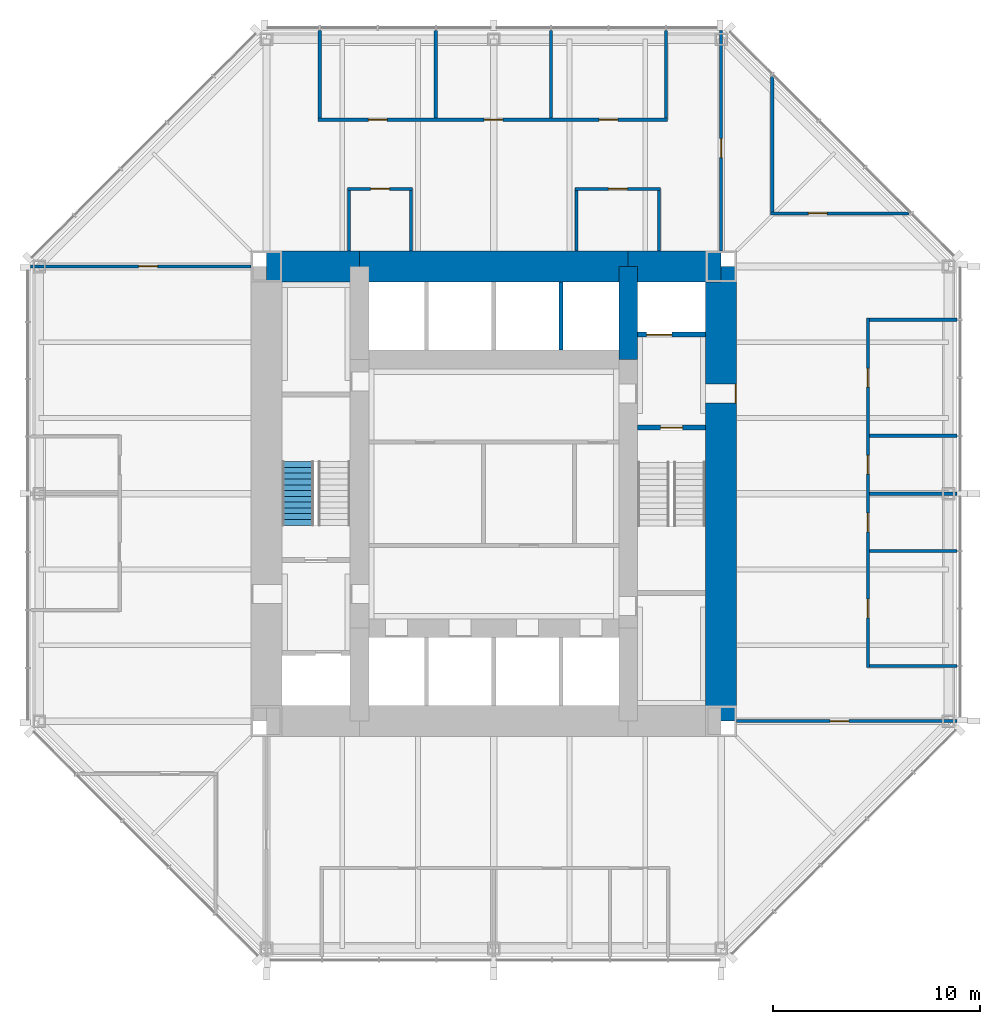
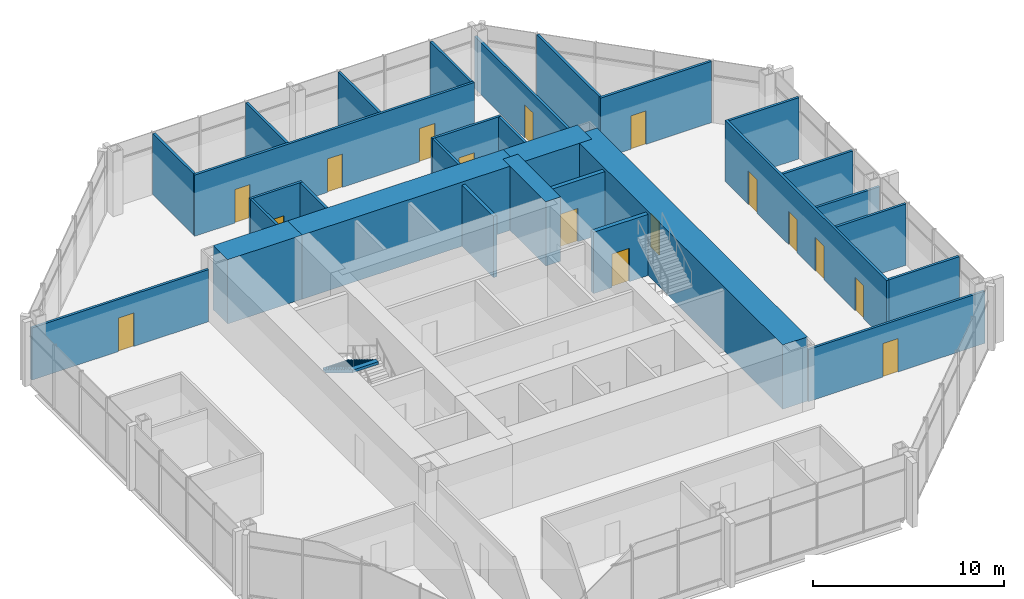
# One storey, part 10 of 12: 30 walls, 16 doors, 1 stair flight, 16 openings, 1 element without a shape of its own.
"""IFC4 building model written with IfcOpenShell, lengths in metres."""

from ifc_helpers import new_model, si_unit, direction, frame, frame_2d, origin, place, context, subcontext, project, spatial, polyline, rectangle, outline, extrude, material, layer, layer_set, type_object, element, fill, aggregate, save


model = new_model("IFC4")

# Units and contexts
model_context = context("Model", 3, precision=1e-05, world=origin(), true_north=direction((0.0, 1.0)))
body_context = subcontext(model_context, "Body", "Model", "MODEL_VIEW")
ifc_project = project(units=[si_unit("LENGTHUNIT", "METRE"), si_unit("AREAUNIT", "SQUARE_METRE"), si_unit("VOLUMEUNIT", "CUBIC_METRE"), si_unit("PLANEANGLEUNIT", "RADIAN"), si_unit("MASSUNIT", "GRAM", prefix="KILO")], contexts=[model_context])

# Site, building, storey
site_placement = place(None, origin())
site = spatial("IfcSite", under=ifc_project, at=site_placement, CompositionType="ELEMENT")
building_placement = place(site_placement, origin())
building = spatial("IfcBuilding", under=site, at=building_placement, Name="Trevanion Tower", CompositionType="ELEMENT")
storey_placement = place(building_placement, frame((0.0, 0.0, 158.199951171875)))
storey = spatial("IfcBuildingStorey", under=building, at=storey_placement, Name="L37", CompositionType="ELEMENT", Elevation=158.199951171875)

# Wall, opening, door
ifc_material_1 = material(Name="Concrete 10,000 psi", Category="concrete")
ifc_layer_1 = layer(ifc_material_1, 1.5)
ifc_layer_set_1 = layer_set([ifc_layer_1], Name="CW1 core wall 1500")
wall_type_1 = type_object("IfcWallType", Name="CW1 core wall 1500", PredefinedType="SHEAR", material=ifc_layer_set_1)
wall_1_placement = place(storey_placement, frame((11.0, -11.0, 0.0), z_axis=(0.0, 0.0, 1.0), x_axis=(0.0, 1.0, 0.0)))
wall_1 = element("IfcWall", 1, at=wall_1_placement, inside=storey, type_object=wall_type_1, Name="CW1 CE L37", PredefinedType="SHEAR", context=body_context, shape_type="SweptSolid", body=[
    extrude(rectangle(XDim=22.0, YDim=1.5, at=frame_2d((11.0, 0.0))), origin(), (0.0, 0.0, 1.0), 4.10009765625),
])
opening_1_placement = place(wall_1_placement, frame((15.392578125, 0.0, 0.0)))
opening_1 = element("IfcOpeningElement", 2, at=opening_1_placement, cuts=wall_1, Name="Opening 37-001", PredefinedType="OPENING", context=body_context, shape_type="SweptSolid", body=[
    extrude(rectangle(XDim=0.9150390625, YDim=2.134033203125, at=frame_2d((0.45751953125, 1.06689453125))), frame((0.0, 0.760009765625, 0.0), z_axis=(0.0, -1.0, 0.0), x_axis=(1.0, 0.0, 0.0)), (0.0, 0.0, 1.0), 1.52001953125),
])
ifc_material_2 = material(Name="Hollow metal, fire rated", Category="steel")
door_type_1 = type_object("IfcDoorType", Name="D3 fire lift lobby door", OperationType="SINGLE_SWING_RIGHT", PredefinedType="DOOR", material=ifc_material_2)
door_1_placement = place(opening_1_placement, origin())
door_1 = element("IfcDoor", 3, at=door_1_placement, inside=storey, type_object=door_type_1, Name="Door 37-001", OperationType="SINGLE_SWING_RIGHT", OverallHeight=2.134033203125, OverallWidth=0.9150390625, PredefinedType="DOOR", context=body_context, shape_type="SweptSolid", body=[
    extrude(rectangle(XDim=0.9150390625, YDim=2.134033203125, at=frame_2d((0.45751953125, 1.06689453125))), frame((0.0, -0.6748046875, 0.0), z_axis=(0.0, -1.0, 0.0), x_axis=(1.0, 0.0, 0.0)), (0.0, 0.0, 1.0), 0.050048828125),
])
fill(opening_1, door_1)

# Walls
wall_2_placement = place(storey_placement, frame((11.0, 11.0, 0.0), z_axis=(0.0, 0.0, 1.0), x_axis=(-1.0, 0.0, 0.0)))
element("IfcWall", 4, at=wall_2_placement, inside=storey, type_object=wall_type_1, Name="CW1 CN1 L37", PredefinedType="SHEAR", context=body_context, shape_type="SweptSolid", body=[
    extrude(rectangle(XDim=4.5, YDim=1.5, at=frame_2d((2.25, 0.0))), origin(), (0.0, 0.0, 1.0), 4.10009765625),
])
wall_3_placement = place(storey_placement, frame((6.5, 11.0, 0.0), z_axis=(0.0, 0.0, 1.0), x_axis=(-1.0, 0.0, 0.0)))
element("IfcWall", 5, at=wall_3_placement, inside=storey, type_object=wall_type_1, Name="CW1 CN2 L37", PredefinedType="SHEAR", context=body_context, shape_type="SweptSolid", body=[
    extrude(rectangle(XDim=13.0, YDim=1.5, at=frame_2d((6.5, 0.0))), origin(), (0.0, 0.0, 1.0), 4.10009765625),
])
wall_4_placement = place(storey_placement, frame((-6.5, 11.0, 0.0), z_axis=(0.0, 0.0, 1.0), x_axis=(-1.0, 0.0, 0.0)))
element("IfcWall", 6, at=wall_4_placement, inside=storey, type_object=wall_type_1, Name="CW1 CN3 L37", PredefinedType="SHEAR", context=body_context, shape_type="SweptSolid", body=[
    extrude(rectangle(XDim=4.5, YDim=1.5, at=frame_2d((2.25, 0.0))), origin(), (0.0, 0.0, 1.0), 4.10009765625),
])
ifc_material_3 = material(Name="Concrete 10,000 psi", Category="concrete")
ifc_layer_2 = layer(ifc_material_3, 0.89990234375)
ifc_layer_set_2 = layer_set([ifc_layer_2], Name="CW2 core wall 900")
wall_type_2 = type_object("IfcWallType", Name="CW2 core wall 900", PredefinedType="SHEAR", material=ifc_layer_set_2)
wall_5_placement = place(storey_placement, frame((6.5, 6.5, 0.0), z_axis=(0.0, 0.0, 1.0), x_axis=(0.0, 1.0, 0.0)))
element("IfcWall", 7, at=wall_5_placement, inside=storey, type_object=wall_type_2, Name="CW2 RE3 L37", PredefinedType="SHEAR", context=body_context, shape_type="SweptSolid", body=[
    extrude(rectangle(XDim=4.5, YDim=0.89990234375, at=frame_2d((2.25, 0.0))), origin(), (0.0, 0.0, 1.0), 4.10009765625),
])

# Wall, opening, door
ifc_material_4 = material(Name="Gypsum board on steel studs", Category="steel")
ifc_layer_3 = layer(ifc_material_4, 0.14990234375)
ifc_layer_set_3 = layer_set([ifc_layer_3], Name="PT1 partition 150")
wall_type_3 = type_object("IfcWallType", Name="PT1 partition 150", PredefinedType="PARTITIONING", material=ifc_layer_set_3)
wall_6_placement = place(storey_placement, frame((11.0, 11.75, 0.0), z_axis=(0.0, 0.0, 1.0), x_axis=(0.0, 1.0, 0.0)))
wall_6 = element("IfcWall", 8, at=wall_6_placement, inside=storey, type_object=wall_type_3, Name="PT1 L37 ZW0", PredefinedType="PARTITIONING", context=body_context, shape_type="SweptSolid", body=[
    extrude(rectangle(XDim=10.6650390625, YDim=0.14990234375, at=frame_2d((5.33251953125, 0.0))), origin(), (0.0, 0.0, 1.0), 3.325927734375),
])
opening_2_placement = place(wall_6_placement, frame((4.517578125, 0.0, 0.0)))
opening_2 = element("IfcOpeningElement", 9, at=opening_2_placement, cuts=wall_6, Name="Opening 37-018", PredefinedType="OPENING", context=body_context, shape_type="SweptSolid", body=[
    extrude(rectangle(XDim=0.9150390625, YDim=2.134033203125, at=frame_2d((0.45751953125, 1.06689453125))), frame((0.0, 0.0849609375, 0.0), z_axis=(0.0, -1.0, 0.0), x_axis=(1.0, 0.0, 0.0)), (0.0, 0.0, 1.0), 0.169921875),
])
ifc_material_5 = material(Name="Timber veneer, solid core", Category="wood")
door_type_2 = type_object("IfcDoorType", Name="D1 office and meeting room door", OperationType="SINGLE_SWING_LEFT", PredefinedType="DOOR", material=ifc_material_5)
door_2_placement = place(opening_2_placement, origin())
door_2 = element("IfcDoor", 10, at=door_2_placement, inside=storey, type_object=door_type_2, Name="Door 37-018", OperationType="SINGLE_SWING_LEFT", OverallHeight=2.134033203125, OverallWidth=0.9150390625, PredefinedType="DOOR", context=body_context, shape_type="SweptSolid", body=[
    extrude(rectangle(XDim=0.9150390625, YDim=2.134033203125, at=frame_2d((0.45751953125, 1.06689453125))), frame((0.0, 0.02490234375, 0.0), z_axis=(0.0, -1.0, 0.0), x_axis=(1.0, 0.0, 0.0)), (0.0, 0.0, 1.0), 0.050048828125),
])
fill(opening_2, door_2)

wall_7_placement = place(storey_placement, frame((-11.75, 11.0, 0.0), z_axis=(0.0, 0.0, 1.0), x_axis=(-1.0, 0.0, 0.0)))
wall_7 = element("IfcWall", 11, at=wall_7_placement, inside=storey, type_object=wall_type_3, Name="PT1 L37 ZW1", PredefinedType="PARTITIONING", context=body_context, shape_type="SweptSolid", body=[
    extrude(rectangle(XDim=10.6650390625, YDim=0.14990234375, at=frame_2d((5.33251953125, 0.0))), origin(), (0.0, 0.0, 1.0), 3.325927734375),
])
opening_3_placement = place(wall_7_placement, frame((4.517578125, 0.0, 0.0)))
opening_3 = element("IfcOpeningElement", 12, at=opening_3_placement, cuts=wall_7, Name="Opening 37-019", PredefinedType="OPENING", context=body_context, shape_type="SweptSolid", body=[
    extrude(rectangle(XDim=0.9150390625, YDim=2.134033203125, at=frame_2d((0.45751953125, 1.06689453125))), frame((0.0, 0.0849609375, 0.0), z_axis=(0.0, -1.0, 0.0), x_axis=(1.0, 0.0, 0.0)), (0.0, 0.0, 1.0), 0.169921875),
])
door_3_placement = place(opening_3_placement, origin())
door_3 = element("IfcDoor", 13, at=door_3_placement, inside=storey, type_object=door_type_2, Name="Door 37-019", OperationType="SINGLE_SWING_LEFT", OverallHeight=2.134033203125, OverallWidth=0.9150390625, PredefinedType="DOOR", context=body_context, shape_type="SweptSolid", body=[
    extrude(rectangle(XDim=0.9150390625, YDim=2.134033203125, at=frame_2d((0.45751953125, 1.06689453125))), frame((0.0, 0.02490234375, 0.0), z_axis=(0.0, -1.0, 0.0), x_axis=(1.0, 0.0, 0.0)), (0.0, 0.0, 1.0), 0.050048828125),
])
fill(opening_3, door_3)

wall_8_placement = place(storey_placement, frame((11.75, -11.0, 0.0), z_axis=(0.0, 0.0, 1.0), x_axis=(1.0, 0.0, 0.0)))
wall_8 = element("IfcWall", 14, at=wall_8_placement, inside=storey, type_object=wall_type_3, Name="PT1 L37 ZW3", PredefinedType="PARTITIONING", context=body_context, shape_type="SweptSolid", body=[
    extrude(rectangle(XDim=10.6650390625, YDim=0.14990234375, at=frame_2d((5.33251953125, 0.0))), origin(), (0.0, 0.0, 1.0), 3.325927734375),
])
opening_4_placement = place(wall_8_placement, frame((4.517578125, 0.0, 0.0)))
opening_4 = element("IfcOpeningElement", 15, at=opening_4_placement, cuts=wall_8, Name="Opening 37-021", PredefinedType="OPENING", context=body_context, shape_type="SweptSolid", body=[
    extrude(rectangle(XDim=0.9150390625, YDim=2.134033203125, at=frame_2d((0.45751953125, 1.06689453125))), frame((0.0, 0.0849609375, 0.0), z_axis=(0.0, -1.0, 0.0), x_axis=(1.0, 0.0, 0.0)), (0.0, 0.0, 1.0), 0.169921875),
])
door_4_placement = place(opening_4_placement, origin())
door_4 = element("IfcDoor", 16, at=door_4_placement, inside=storey, type_object=door_type_2, Name="Door 37-021", OperationType="SINGLE_SWING_LEFT", OverallHeight=2.134033203125, OverallWidth=0.9150390625, PredefinedType="DOOR", context=body_context, shape_type="SweptSolid", body=[
    extrude(rectangle(XDim=0.9150390625, YDim=2.134033203125, at=frame_2d((0.45751953125, 1.06689453125))), frame((0.0, 0.02490234375, 0.0), z_axis=(0.0, -1.0, 0.0), x_axis=(1.0, 0.0, 0.0)), (0.0, 0.0, 1.0), 0.050048828125),
])
fill(opening_4, door_4)

wall_9_placement = place(storey_placement, frame((13.39892578125, 13.56591796875, 0.0), z_axis=(0.0, 0.0, 1.0), x_axis=(1.0, 0.0, 0.0)))
wall_9 = element("IfcWall", 17, at=wall_9_placement, inside=storey, type_object=wall_type_3, Name="PT1 L37 KW0a", PredefinedType="PARTITIONING", context=body_context, shape_type="SweptSolid", body=[
    extrude(rectangle(XDim=6.697998046875, YDim=0.14990234375, at=frame_2d((3.34912109375, 0.0))), origin(), (0.0, 0.0, 1.0), 3.91015625),
])
opening_5_placement = place(wall_9_placement, frame((1.8173828125, 0.0, 0.0)))
opening_5 = element("IfcOpeningElement", 18, at=opening_5_placement, cuts=wall_9, Name="Opening 37-022", PredefinedType="OPENING", context=body_context, shape_type="SweptSolid", body=[
    extrude(rectangle(XDim=0.9150390625, YDim=2.134033203125, at=frame_2d((0.45751953125, 1.06689453125))), frame((0.0, 0.0849609375, 0.0), z_axis=(0.0, -1.0, 0.0), x_axis=(1.0, 0.0, 0.0)), (0.0, 0.0, 1.0), 0.169921875),
])
door_5_placement = place(opening_5_placement, origin())
door_5 = element("IfcDoor", 19, at=door_5_placement, inside=storey, type_object=door_type_2, Name="Door 37-022", OperationType="SINGLE_SWING_LEFT", OverallHeight=2.134033203125, OverallWidth=0.9150390625, PredefinedType="DOOR", context=body_context, shape_type="SweptSolid", body=[
    extrude(rectangle(XDim=0.9150390625, YDim=2.134033203125, at=frame_2d((0.45751953125, 1.06689453125))), frame((0.0, 0.02490234375, 0.0), z_axis=(0.0, -1.0, 0.0), x_axis=(1.0, 0.0, 0.0)), (0.0, 0.0, 1.0), 0.050048828125),
])
fill(opening_5, door_5)

# Wall
wall_10_placement = place(storey_placement, frame((13.47412109375, 13.64111328125, 0.0), z_axis=(0.0, 0.0, 1.0), x_axis=(0.0, 1.0, 0.0)))
element("IfcWall", 20, at=wall_10_placement, inside=storey, type_object=wall_type_3, Name="PT1 L37 KW0b", PredefinedType="PARTITIONING", context=body_context, shape_type="SweptSolid", body=[
    extrude(rectangle(XDim=6.5478515625, YDim=0.14990234375, at=frame_2d((3.27392578125, 0.0))), origin(), (0.0, 0.0, 1.0), 3.91015625),
])

# Wall, openings, doors
wall_11_placement = place(storey_placement, frame((8.39794921875, 18.10009765625, 0.0), z_axis=(0.0, 0.0, 1.0), x_axis=(-1.0, 0.0, 0.0)))
wall_11 = element("IfcWall", 21, at=wall_11_placement, inside=storey, type_object=wall_type_3, Name="PT1 L37 FC1F", PredefinedType="PARTITIONING", context=body_context, shape_type="SweptSolid", body=[
    extrude(rectangle(XDim=16.89404296875, YDim=0.14990234375, at=frame_2d((8.447021484375, 0.0))), origin(), (0.0, 0.0, 1.0), 3.91015625),
])
opening_6_placement = place(wall_11_placement, frame((2.3916015625, 0.0, 0.0)))
opening_6 = element("IfcOpeningElement", 22, at=opening_6_placement, cuts=wall_11, Name="Opening 37-024", PredefinedType="OPENING", context=body_context, shape_type="SweptSolid", body=[
    extrude(rectangle(XDim=0.9150390625, YDim=2.134033203125, at=frame_2d((0.45751953125, 1.06689453125))), frame((0.0, 0.0849609375, 0.0), z_axis=(0.0, -1.0, 0.0), x_axis=(1.0, 0.0, 0.0)), (0.0, 0.0, 1.0), 0.169921875),
])
opening_7_placement = place(wall_11_placement, frame((7.95654296875, 0.0, 0.0)))
opening_7 = element("IfcOpeningElement", 23, at=opening_7_placement, cuts=wall_11, Name="Opening 37-025", PredefinedType="OPENING", context=body_context, shape_type="SweptSolid", body=[
    extrude(rectangle(XDim=0.9150390625, YDim=2.134033203125, at=frame_2d((0.45751953125, 1.06689453125))), frame((0.0, 0.0849609375, 0.0), z_axis=(0.0, -1.0, 0.0), x_axis=(1.0, 0.0, 0.0)), (0.0, 0.0, 1.0), 0.169921875),
])
opening_8_placement = place(wall_11_placement, frame((13.554443359375, 0.0, 0.0)))
opening_8 = element("IfcOpeningElement", 24, at=opening_8_placement, cuts=wall_11, Name="Opening 37-026", PredefinedType="OPENING", context=body_context, shape_type="SweptSolid", body=[
    extrude(rectangle(XDim=0.9150390625, YDim=2.134033203125, at=frame_2d((0.45751953125, 1.06689453125))), frame((0.0, 0.0849609375, 0.0), z_axis=(0.0, -1.0, 0.0), x_axis=(1.0, 0.0, 0.0)), (0.0, 0.0, 1.0), 0.169921875),
])
door_6_placement = place(opening_6_placement, origin())
door_6 = element("IfcDoor", 25, at=door_6_placement, inside=storey, type_object=door_type_2, Name="Door 37-024", OperationType="SINGLE_SWING_LEFT", OverallHeight=2.134033203125, OverallWidth=0.9150390625, PredefinedType="DOOR", context=body_context, shape_type="SweptSolid", body=[
    extrude(rectangle(XDim=0.9150390625, YDim=2.134033203125, at=frame_2d((0.45751953125, 1.06689453125))), frame((0.0, 0.02490234375, 0.0), z_axis=(0.0, -1.0, 0.0), x_axis=(1.0, 0.0, 0.0)), (0.0, 0.0, 1.0), 0.050048828125),
])
fill(opening_6, door_6)
door_7_placement = place(opening_7_placement, origin())
door_7 = element("IfcDoor", 26, at=door_7_placement, inside=storey, type_object=door_type_2, Name="Door 37-025", OperationType="SINGLE_SWING_LEFT", OverallHeight=2.134033203125, OverallWidth=0.9150390625, PredefinedType="DOOR", context=body_context, shape_type="SweptSolid", body=[
    extrude(rectangle(XDim=0.9150390625, YDim=2.134033203125, at=frame_2d((0.45751953125, 1.06689453125))), frame((0.0, 0.02490234375, 0.0), z_axis=(0.0, -1.0, 0.0), x_axis=(1.0, 0.0, 0.0)), (0.0, 0.0, 1.0), 0.050048828125),
])
fill(opening_7, door_7)
door_8_placement = place(opening_8_placement, origin())
door_8 = element("IfcDoor", 27, at=door_8_placement, inside=storey, type_object=door_type_2, Name="Door 37-026", OperationType="SINGLE_SWING_LEFT", OverallHeight=2.134033203125, OverallWidth=0.9150390625, PredefinedType="DOOR", context=body_context, shape_type="SweptSolid", body=[
    extrude(rectangle(XDim=0.9150390625, YDim=2.134033203125, at=frame_2d((0.45751953125, 1.06689453125))), frame((0.0, 0.02490234375, 0.0), z_axis=(0.0, -1.0, 0.0), x_axis=(1.0, 0.0, 0.0)), (0.0, 0.0, 1.0), 0.050048828125),
])
fill(opening_8, door_8)

# Walls
for number, where, z_axis, x_axis, name in (
    (28, (8.322998046875, 18.175048828125, 0.0), (0.0, 0.0, 1.0), (0.0, 1.0, 0.0), "PT1 L37 FC1S0"),
    (29, (2.77490234375, 18.175048828125, 0.0), (0.0, 0.0, 1.0), (0.0, 1.0, 0.0), "PT1 L37 FC1S2"),
    (30, (-2.806884765625, 18.175048828125, 0.0), (0.0, 0.0, 1.0), (0.0, 1.0, 0.0), "PT1 L37 FC1S4"),
    (31, (-8.4208984375, 18.175048828125, 0.0), (0.0, 0.0, 1.0), (0.0, 1.0, 0.0), "PT1 L37 FC1S6"),
):
    element("IfcWall", number, at=place(storey_placement, frame(where, z_axis=z_axis, x_axis=x_axis)), inside=storey, type_object=wall_type_3, Name=name, PredefinedType="PARTITIONING", context=body_context, shape_type="SweptSolid", body=[
        extrude(rectangle(XDim=4.239990234375, YDim=0.14990234375, at=frame_2d((2.1201171875, 0.0))), origin(), (0.0, 0.0, 1.0), 3.91015625),
    ])

# Wall, openings, doors
wall_12_placement = place(storey_placement, frame((18.10009765625, -8.39794921875, 0.0), z_axis=(0.0, 0.0, 1.0), x_axis=(0.0, 1.0, 0.0)))
wall_12 = element("IfcWall", 32, at=wall_12_placement, inside=storey, type_object=wall_type_3, Name="PT1 L37 FC0F", PredefinedType="PARTITIONING", context=body_context, shape_type="SweptSolid", body=[
    extrude(rectangle(XDim=16.89404296875, YDim=0.14990234375, at=frame_2d((8.447021484375, 0.0))), origin(), (0.0, 0.0, 1.0), 3.91015625),
])
opening_9_placement = place(wall_12_placement, frame((2.3916015625, 0.0, 0.0)))
opening_9 = element("IfcOpeningElement", 33, at=opening_9_placement, cuts=wall_12, Name="Opening 37-030", PredefinedType="OPENING", context=body_context, shape_type="SweptSolid", body=[
    extrude(rectangle(XDim=0.9150390625, YDim=2.134033203125, at=frame_2d((0.45751953125, 1.06689453125))), frame((0.0, 0.0849609375, 0.0), z_axis=(0.0, -1.0, 0.0), x_axis=(1.0, 0.0, 0.0)), (0.0, 0.0, 1.0), 0.169921875),
])
opening_10_placement = place(wall_12_placement, frame((6.552978515625, 0.0, 0.0)))
opening_10 = element("IfcOpeningElement", 34, at=opening_10_placement, cuts=wall_12, Name="Opening 37-031", PredefinedType="OPENING", context=body_context, shape_type="SweptSolid", body=[
    extrude(rectangle(XDim=0.9150390625, YDim=2.134033203125, at=frame_2d((0.45751953125, 1.06689453125))), frame((0.0, 0.0849609375, 0.0), z_axis=(0.0, -1.0, 0.0), x_axis=(1.0, 0.0, 0.0)), (0.0, 0.0, 1.0), 0.169921875),
])
opening_11_placement = place(wall_12_placement, frame((9.343994140625, 0.0, 0.0)))
opening_11 = element("IfcOpeningElement", 35, at=opening_11_placement, cuts=wall_12, Name="Opening 37-032", PredefinedType="OPENING", context=body_context, shape_type="SweptSolid", body=[
    extrude(rectangle(XDim=0.9150390625, YDim=2.134033203125, at=frame_2d((0.45751953125, 1.06689453125))), frame((0.0, 0.0849609375, 0.0), z_axis=(0.0, -1.0, 0.0), x_axis=(1.0, 0.0, 0.0)), (0.0, 0.0, 1.0), 0.169921875),
])
opening_12_placement = place(wall_12_placement, frame((13.554443359375, 0.0, 0.0)))
opening_12 = element("IfcOpeningElement", 36, at=opening_12_placement, cuts=wall_12, Name="Opening 37-033", PredefinedType="OPENING", context=body_context, shape_type="SweptSolid", body=[
    extrude(rectangle(XDim=0.9150390625, YDim=2.134033203125, at=frame_2d((0.45751953125, 1.06689453125))), frame((0.0, 0.0849609375, 0.0), z_axis=(0.0, -1.0, 0.0), x_axis=(1.0, 0.0, 0.0)), (0.0, 0.0, 1.0), 0.169921875),
])
door_9_placement = place(opening_9_placement, origin())
door_9 = element("IfcDoor", 37, at=door_9_placement, inside=storey, type_object=door_type_2, Name="Door 37-030", OperationType="SINGLE_SWING_LEFT", OverallHeight=2.134033203125, OverallWidth=0.9150390625, PredefinedType="DOOR", context=body_context, shape_type="SweptSolid", body=[
    extrude(rectangle(XDim=0.9150390625, YDim=2.134033203125, at=frame_2d((0.45751953125, 1.06689453125))), frame((0.0, 0.02490234375, 0.0), z_axis=(0.0, -1.0, 0.0), x_axis=(1.0, 0.0, 0.0)), (0.0, 0.0, 1.0), 0.050048828125),
])
fill(opening_9, door_9)
door_10_placement = place(opening_10_placement, origin())
door_10 = element("IfcDoor", 38, at=door_10_placement, inside=storey, type_object=door_type_2, Name="Door 37-031", OperationType="SINGLE_SWING_LEFT", OverallHeight=2.134033203125, OverallWidth=0.9150390625, PredefinedType="DOOR", context=body_context, shape_type="SweptSolid", body=[
    extrude(rectangle(XDim=0.9150390625, YDim=2.134033203125, at=frame_2d((0.45751953125, 1.06689453125))), frame((0.0, 0.02490234375, 0.0), z_axis=(0.0, -1.0, 0.0), x_axis=(1.0, 0.0, 0.0)), (0.0, 0.0, 1.0), 0.050048828125),
])
fill(opening_10, door_10)
door_11_placement = place(opening_11_placement, origin())
door_11 = element("IfcDoor", 39, at=door_11_placement, inside=storey, type_object=door_type_2, Name="Door 37-032", OperationType="SINGLE_SWING_LEFT", OverallHeight=2.134033203125, OverallWidth=0.9150390625, PredefinedType="DOOR", context=body_context, shape_type="SweptSolid", body=[
    extrude(rectangle(XDim=0.9150390625, YDim=2.134033203125, at=frame_2d((0.45751953125, 1.06689453125))), frame((0.0, 0.02490234375, 0.0), z_axis=(0.0, -1.0, 0.0), x_axis=(1.0, 0.0, 0.0)), (0.0, 0.0, 1.0), 0.050048828125),
])
fill(opening_11, door_11)
door_12_placement = place(opening_12_placement, origin())
door_12 = element("IfcDoor", 40, at=door_12_placement, inside=storey, type_object=door_type_2, Name="Door 37-033", OperationType="SINGLE_SWING_LEFT", OverallHeight=2.134033203125, OverallWidth=0.9150390625, PredefinedType="DOOR", context=body_context, shape_type="SweptSolid", body=[
    extrude(rectangle(XDim=0.9150390625, YDim=2.134033203125, at=frame_2d((0.45751953125, 1.06689453125))), frame((0.0, 0.02490234375, 0.0), z_axis=(0.0, -1.0, 0.0), x_axis=(1.0, 0.0, 0.0)), (0.0, 0.0, 1.0), 0.050048828125),
])
fill(opening_12, door_12)

# Walls
for number, where, z_axis, x_axis, name in (
    (41, (18.175048828125, -8.322998046875, 0.0), (0.0, 0.0, 1.0), (1.0, 0.0, 0.0), "PT1 L37 FC0S0"),
    (42, (18.175048828125, -2.77490234375, 0.0), (0.0, 0.0, 1.0), (1.0, 0.0, 0.0), "PT1 L37 FC0S2"),
):
    element("IfcWall", number, at=place(storey_placement, frame(where, z_axis=z_axis, x_axis=x_axis)), inside=storey, type_object=wall_type_3, Name=name, PredefinedType="PARTITIONING", context=body_context, shape_type="SweptSolid", body=[
        extrude(rectangle(XDim=4.239990234375, YDim=0.14990234375, at=frame_2d((2.1201171875, 0.0))), origin(), (0.0, 0.0, 1.0), 3.91015625),
    ])
wall_13_placement = place(storey_placement, frame((18.175048828125, 0.0, 0.0), z_axis=(0.0, 0.0, 1.0), x_axis=(1.0, 0.0, 0.0)))
element("IfcWall", 43, at=wall_13_placement, inside=storey, type_object=wall_type_3, Name="PT1 L37 FC0S3", PredefinedType="PARTITIONING", context=body_context, shape_type="SweptSolid", body=[
    extrude(rectangle(XDim=4.239990234375, YDim=0.14990234375, at=frame_2d((2.1201171875, 0.0))), origin(), (0.0, 0.0, 1.0), 3.325927734375),
])
for number, where, z_axis, x_axis, name in (
    (44, (18.175048828125, 2.806884765625, 0.0), (0.0, 0.0, 1.0), (1.0, 0.0, 0.0), "PT1 L37 FC0S4"),
    (45, (18.175048828125, 8.4208984375, 0.0), (0.0, 0.0, 1.0), (1.0, 0.0, 0.0), "PT1 L37 FC0S6"),
):
    element("IfcWall", number, at=place(storey_placement, frame(where, z_axis=z_axis, x_axis=x_axis)), inside=storey, type_object=wall_type_3, Name=name, PredefinedType="PARTITIONING", context=body_context, shape_type="SweptSolid", body=[
        extrude(rectangle(XDim=4.239990234375, YDim=0.14990234375, at=frame_2d((2.1201171875, 0.0))), origin(), (0.0, 0.0, 1.0), 3.91015625),
    ])

# Wall, opening, door
wall_14_placement = place(storey_placement, frame((8.074951171875, 14.75, 0.0), z_axis=(0.0, 0.0, 1.0), x_axis=(-1.0, 0.0, 0.0)))
wall_14 = element("IfcWall", 46, at=wall_14_placement, inside=storey, type_object=wall_type_3, Name="PT1 L37 IN10F", PredefinedType="PARTITIONING", context=body_context, shape_type="SweptSolid", body=[
    extrude(rectangle(XDim=4.14990234375, YDim=0.14990234375, at=frame_2d((2.074951171875, 0.0))), origin(), (0.0, 0.0, 1.0), 3.91015625),
])
opening_13_placement = place(wall_14_placement, frame((1.617431640625, 0.0, 0.0)))
opening_13 = element("IfcOpeningElement", 47, at=opening_13_placement, cuts=wall_14, Name="Opening 37-036", PredefinedType="OPENING", context=body_context, shape_type="SweptSolid", body=[
    extrude(rectangle(XDim=0.9150390625, YDim=2.134033203125, at=frame_2d((0.45751953125, 1.06689453125))), frame((0.0, 0.0849609375, 0.0), z_axis=(0.0, -1.0, 0.0), x_axis=(1.0, 0.0, 0.0)), (0.0, 0.0, 1.0), 0.169921875),
])
door_13_placement = place(opening_13_placement, origin())
door_13 = element("IfcDoor", 48, at=door_13_placement, inside=storey, type_object=door_type_2, Name="Door 37-036", OperationType="SINGLE_SWING_LEFT", OverallHeight=2.134033203125, OverallWidth=0.9150390625, PredefinedType="DOOR", context=body_context, shape_type="SweptSolid", body=[
    extrude(rectangle(XDim=0.9150390625, YDim=2.134033203125, at=frame_2d((0.45751953125, 1.06689453125))), frame((0.0, 0.02490234375, 0.0), z_axis=(0.0, -1.0, 0.0), x_axis=(1.0, 0.0, 0.0)), (0.0, 0.0, 1.0), 0.050048828125),
])
fill(opening_13, door_13)

# Walls
for number, where, z_axis, x_axis, name in (
    (49, (8.0, 14.675048828125, 0.0), (0.0, 0.0, 1.0), (0.0, -1.0, 0.0), "PT1 L37 IN10S0"),
    (50, (4.0, 14.675048828125, 0.0), (0.0, 0.0, 1.0), (0.0, -1.0, 0.0), "PT1 L37 IN10S1"),
):
    element("IfcWall", number, at=place(storey_placement, frame(where, z_axis=z_axis, x_axis=x_axis)), inside=storey, type_object=wall_type_3, Name=name, PredefinedType="PARTITIONING", context=body_context, shape_type="SweptSolid", body=[
        extrude(rectangle(XDim=2.925048828125, YDim=0.14990234375, at=frame_2d((1.46240234375, 0.0))), origin(), (0.0, 0.0, 1.0), 3.91015625),
    ])

# Wall, opening, door
wall_15_placement = place(storey_placement, frame((-3.925048828125, 14.75, 0.0), z_axis=(0.0, 0.0, 1.0), x_axis=(-1.0, 0.0, 0.0)))
wall_15 = element("IfcWall", 51, at=wall_15_placement, inside=storey, type_object=wall_type_3, Name="PT1 L37 IN11F", PredefinedType="PARTITIONING", context=body_context, shape_type="SweptSolid", body=[
    extrude(rectangle(XDim=3.14990234375, YDim=0.14990234375, at=frame_2d((1.574951171875, 0.0))), origin(), (0.0, 0.0, 1.0), 3.91015625),
])
opening_14_placement = place(wall_15_placement, frame((1.117431640625, 0.0, 0.0)))
opening_14 = element("IfcOpeningElement", 52, at=opening_14_placement, cuts=wall_15, Name="Opening 37-037", PredefinedType="OPENING", context=body_context, shape_type="SweptSolid", body=[
    extrude(rectangle(XDim=0.9150390625, YDim=2.134033203125, at=frame_2d((0.45751953125, 1.06689453125))), frame((0.0, 0.0849609375, 0.0), z_axis=(0.0, -1.0, 0.0), x_axis=(1.0, 0.0, 0.0)), (0.0, 0.0, 1.0), 0.169921875),
])
door_14_placement = place(opening_14_placement, origin())
door_14 = element("IfcDoor", 53, at=door_14_placement, inside=storey, type_object=door_type_2, Name="Door 37-037", OperationType="SINGLE_SWING_LEFT", OverallHeight=2.134033203125, OverallWidth=0.9150390625, PredefinedType="DOOR", context=body_context, shape_type="SweptSolid", body=[
    extrude(rectangle(XDim=0.9150390625, YDim=2.134033203125, at=frame_2d((0.45751953125, 1.06689453125))), frame((0.0, 0.02490234375, 0.0), z_axis=(0.0, -1.0, 0.0), x_axis=(1.0, 0.0, 0.0)), (0.0, 0.0, 1.0), 0.050048828125),
])
fill(opening_14, door_14)

# Walls
for number, where, z_axis, x_axis, name in (
    (54, (-4.0, 14.675048828125, 0.0), (0.0, 0.0, 1.0), (0.0, -1.0, 0.0), "PT1 L37 IN11S0"),
    (55, (-7.0, 14.675048828125, 0.0), (0.0, 0.0, 1.0), (0.0, -1.0, 0.0), "PT1 L37 IN11S1"),
):
    element("IfcWall", number, at=place(storey_placement, frame(where, z_axis=z_axis, x_axis=x_axis)), inside=storey, type_object=wall_type_3, Name=name, PredefinedType="PARTITIONING", context=body_context, shape_type="SweptSolid", body=[
        extrude(rectangle(XDim=2.925048828125, YDim=0.14990234375, at=frame_2d((1.46240234375, 0.0))), origin(), (0.0, 0.0, 1.0), 3.91015625),
    ])
ifc_material_6 = material(Name="Concrete masonry, grouted", Category="masonry")
ifc_layer_4 = layer(ifc_material_6, 0.199951171875)
ifc_layer_set_4 = layer_set([ifc_layer_4], Name="PT2 partition 200 2 HR")
wall_type_4 = type_object("IfcWallType", Name="PT2 partition 200 2 HR", PredefinedType="PARTITIONING", material=ifc_layer_set_4)
wall_16_placement = place(storey_placement, frame((3.25, 6.949951171875, 0.0), z_axis=(0.0, 0.0, 1.0), x_axis=(0.0, 1.0, 0.0)))
element("IfcWall", 56, at=wall_16_placement, inside=storey, type_object=wall_type_4, Name="PT2 L37 NS2", PredefinedType="PARTITIONING", context=body_context, shape_type="SweptSolid", body=[
    extrude(rectangle(XDim=3.300048828125, YDim=0.199951171875, at=frame_2d((1.64990234375, 0.0))), origin(), (0.0, 0.0, 1.0), 3.91015625),
])

# Wall, opening, door
ifc_material_7 = material(Name="Concrete masonry, grouted, two-hour", Category="masonry")
ifc_layer_5 = layer(ifc_material_7, 0.25)
ifc_layer_set_5 = layer_set([ifc_layer_5], Name="PT3 partition 250 2 HR")
wall_type_5 = type_object("IfcWallType", Name="PT3 partition 250 2 HR", PredefinedType="PARTITIONING", material=ifc_layer_set_5)
wall_17_placement = place(storey_placement, frame((6.949951171875, 7.699951171875, 0.0), z_axis=(0.0, 0.0, 1.0), x_axis=(1.0, 0.0, 0.0)))
wall_17 = element("IfcWall", 57, at=wall_17_placement, inside=storey, type_object=wall_type_5, Name="PT3 L37 EP3", PredefinedType="PARTITIONING", context=body_context, shape_type="SweptSolid", body=[
    extrude(rectangle(XDim=3.300048828125, YDim=0.25, at=frame_2d((1.64990234375, 0.0))), origin(), (0.0, 0.0, 1.0), 3.91015625),
])
opening_15_placement = place(wall_17_placement, frame((0.449951171875, 0.0, 0.0)))
opening_15 = element("IfcOpeningElement", 58, at=opening_15_placement, cuts=wall_17, Name="Opening 37-007", PredefinedType="OPENING", context=body_context, shape_type="SweptSolid", body=[
    extrude(rectangle(XDim=1.218994140625, YDim=2.134033203125, at=frame_2d((0.609375, 1.06689453125))), frame((0.0, 0.135009765625, 0.0), z_axis=(0.0, -1.0, 0.0), x_axis=(1.0, 0.0, 0.0)), (0.0, 0.0, 1.0), 0.27001953125),
])
ifc_material_8 = material(Name="Stainless steel, fire rated", Category="steel")
door_type_3 = type_object("IfcDoorType", Name="LD2 fire service lift landing door", OperationType="SLIDING_TO_LEFT", PredefinedType="DOOR", material=ifc_material_8)
door_15_placement = place(opening_15_placement, origin())
door_15 = element("IfcDoor", 59, at=door_15_placement, inside=storey, type_object=door_type_3, Name="Door 37-007", OperationType="SLIDING_TO_LEFT", OverallHeight=2.134033203125, OverallWidth=1.218994140625, PredefinedType="DOOR", context=body_context, shape_type="SweptSolid", body=[
    extrude(rectangle(XDim=1.218994140625, YDim=2.134033203125, at=frame_2d((0.609375, 1.06689453125))), frame((0.0, 0.02490234375, 0.0), z_axis=(0.0, -1.0, 0.0), x_axis=(1.0, 0.0, 0.0)), (0.0, 0.0, 1.0), 0.050048828125),
])
fill(opening_15, door_15)

ifc_material_9 = material(Name="Reinforced masonry, fully grouted", Category="masonry")
ifc_layer_6 = layer(ifc_material_9, 0.25)
ifc_layer_set_6 = layer_set([ifc_layer_6], Name="SW1 stair shaft wall 250")
wall_type_6 = type_object("IfcWallType", Name="SW1 stair shaft wall 250", PredefinedType="SOLIDWALL", material=ifc_layer_set_6)
wall_18_placement = place(storey_placement, frame((6.949951171875, 3.199951171875, 0.0), z_axis=(0.0, 0.0, 1.0), x_axis=(1.0, 0.0, 0.0)))
wall_18 = element("IfcWall", 60, at=wall_18_placement, inside=storey, type_object=wall_type_6, Name="SW1 L37 EP2", PredefinedType="SOLIDWALL", context=body_context, shape_type="SweptSolid", body=[
    extrude(rectangle(XDim=3.300048828125, YDim=0.25, at=frame_2d((1.64990234375, 0.0))), origin(), (0.0, 0.0, 1.0), 3.91015625),
])
opening_16_placement = place(wall_18_placement, frame((1.116455078125, 0.0, 0.0)))
opening_16 = element("IfcOpeningElement", 61, at=opening_16_placement, cuts=wall_18, Name="Opening 37-005", PredefinedType="OPENING", context=body_context, shape_type="SweptSolid", body=[
    extrude(rectangle(XDim=1.06689453125, YDim=2.134033203125, at=frame_2d((0.533447265625, 1.06689453125))), frame((0.0, 0.135009765625, 0.0), z_axis=(0.0, -1.0, 0.0), x_axis=(1.0, 0.0, 0.0)), (0.0, 0.0, 1.0), 0.27001953125),
])
ifc_material_10 = material(Name="Hollow metal, fire rated", Category="steel")
door_type_4 = type_object("IfcDoorType", Name="D2 exit stair door", OperationType="SINGLE_SWING_LEFT", PredefinedType="DOOR", material=ifc_material_10)
door_16_placement = place(opening_16_placement, origin())
door_16 = element("IfcDoor", 62, at=door_16_placement, inside=storey, type_object=door_type_4, Name="Door 37-005", OperationType="SINGLE_SWING_LEFT", OverallHeight=2.134033203125, OverallWidth=1.06689453125, PredefinedType="DOOR", context=body_context, shape_type="SweptSolid", body=[
    extrude(rectangle(XDim=1.06689453125, YDim=2.134033203125, at=frame_2d((0.533447265625, 1.06689453125))), frame((0.0, 0.02490234375, 0.0), z_axis=(0.0, -1.0, 0.0), x_axis=(1.0, 0.0, 0.0)), (0.0, 0.0, 1.0), 0.050048828125),
])
fill(opening_16, door_16)

# Stair, stair flight
ifc_material_11 = material(Name="Concrete 5,000 psi on steel stringers", Category="concrete")
stair_type = type_object("IfcStairType", Name="ST stair", PredefinedType="HALF_TURN_STAIR", material=ifc_material_11)
stair_placement = place(storey_placement, origin())
stair = element("IfcStair", 63, at=stair_placement, inside=storey, type_object=stair_type, Name="ST2 L37", PredefinedType="HALF_TURN_STAIR")
ifc_material_12 = material(Name="Concrete 5,000 psi in steel pan", Category="concrete")
stair_flight_type = type_object("IfcStairFlightType", Name="STF stair flight", PredefinedType="STRAIGHT", material=ifc_material_12)
stair_flight_placement = place(storey_placement, frame((-9.47509765625, 1.554931640625, 2.050048828125), z_axis=(0.0, 0.0, 1.0), x_axis=(0.0, -1.0, 0.0)))
stair_flight = element("IfcStairFlight", 64, at=stair_flight_placement, type_object=stair_flight_type, Name="ST2 flight 2", NumberOfRisers=12, NumberOfTreads=11, PredefinedType="STRAIGHT", RiserHeight=0.170833333, TreadLength=0.28, context=body_context, shape_type="SweptSolid", body=[
    extrude(outline(polyline([(0.0, 0.0), (0.0, 0.1708984375), (0.280029296875, 0.1708984375), (0.280029296875, 0.341552734375), (0.56005859375, 0.341552734375), (0.56005859375, 0.512451171875), (0.840087890625, 0.512451171875), (0.840087890625, 0.683349609375), (1.1201171875, 0.683349609375), (1.1201171875, 0.854248046875), (1.39990234375, 0.854248046875), (1.39990234375, 1.02490234375), (1.679931640625, 1.02490234375), (1.679931640625, 1.19580078125), (1.9599609375, 1.19580078125), (1.9599609375, 1.36669921875), (2.239990234375, 1.36669921875), (2.239990234375, 1.53759765625), (2.52001953125, 1.53759765625), (2.52001953125, 1.708251953125), (2.800048828125, 1.708251953125), (2.800048828125, 1.879150390625), (3.080078125, 1.879150390625), (3.080078125, 2.050048828125), (3.080078125, 1.70361328125), (0.287841796875, 0.0), (0.0, 0.0)])), frame((0.0, 0.77490234375, 0.0), z_axis=(0.0, -1.0, 0.0), x_axis=(1.0, 0.0, 0.0)), (0.0, 0.0, 1.0), 1.550048828125),
])
aggregate(stair, [stair_flight])

save(model, "model.ifc")
